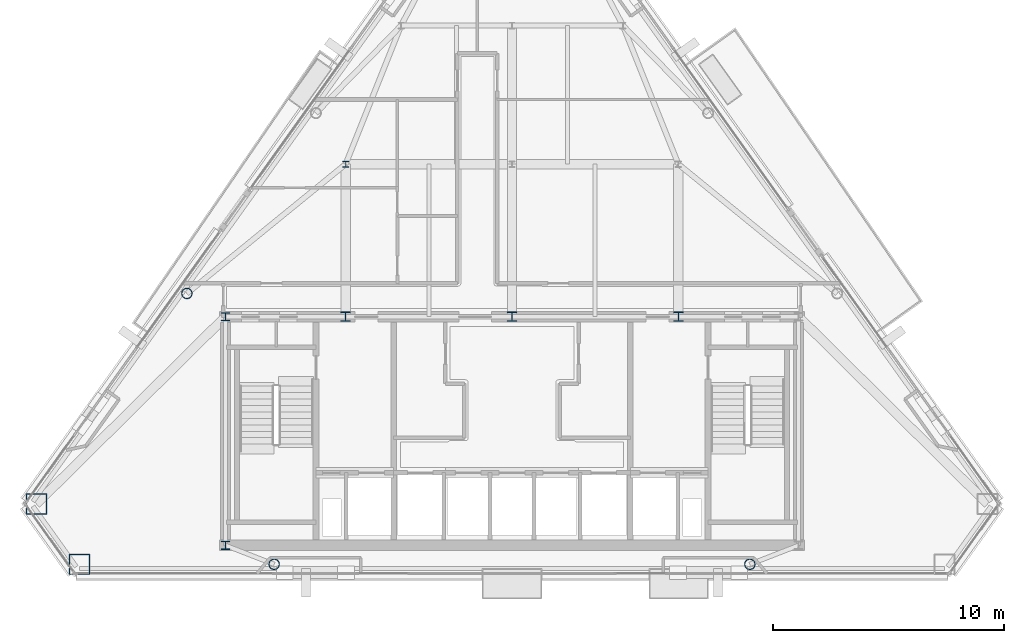
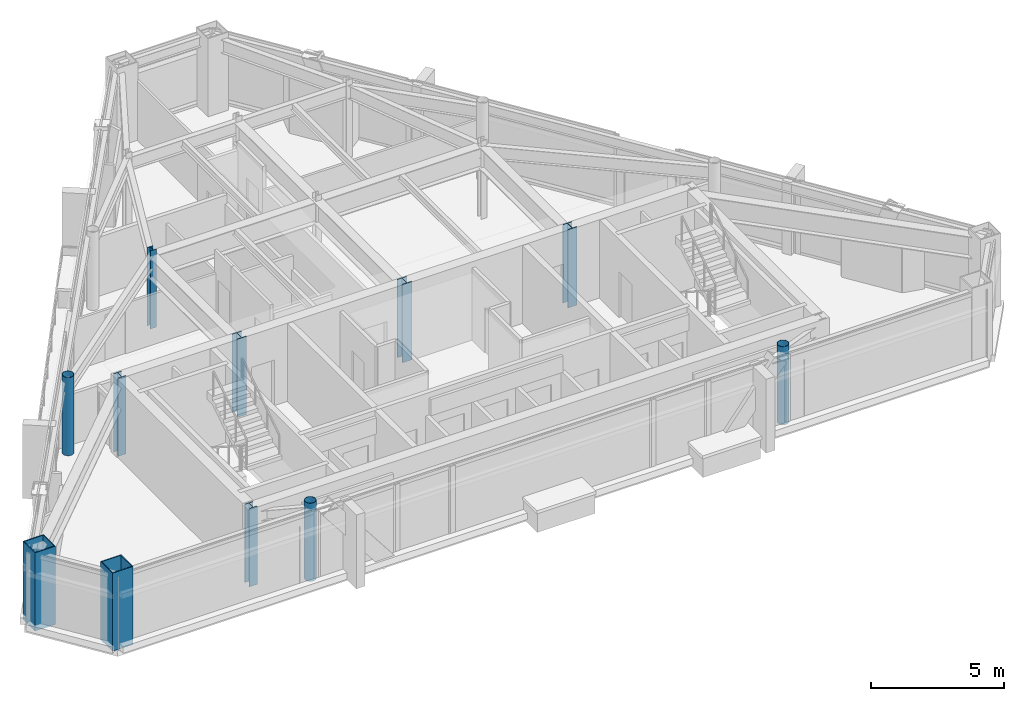
# One storey, part 1 of 12: 11 columns.
"""IFC4 building model written with IfcOpenShell, lengths in metres."""

from ifc_helpers import new_model, si_unit, direction, frame, origin, origin_2d, place, context, subcontext, project, spatial, hollow_rectangle, hollow_circle, i_section, extrude, material, material_profile, profile_set, type_object, element, save


model = new_model("IFC4")

# Units and contexts
model_context = context("Model", 3, precision=1e-05, world=origin(), true_north=direction((0.0, 1.0)))
body_context = subcontext(model_context, "Body", "Model", "MODEL_VIEW")
ifc_project = project(units=[si_unit("LENGTHUNIT", "METRE"), si_unit("AREAUNIT", "SQUARE_METRE"), si_unit("VOLUMEUNIT", "CUBIC_METRE"), si_unit("PLANEANGLEUNIT", "RADIAN"), si_unit("MASSUNIT", "GRAM", prefix="KILO")], contexts=[model_context])

# Site, building, storey
site_placement = place(None, origin())
site = spatial("IfcSite", under=ifc_project, at=site_placement, CompositionType="ELEMENT")
building_placement = place(site_placement, origin())
building = spatial("IfcBuilding", under=site, at=building_placement, Name="Talgorran Terracotta Tower", CompositionType="ELEMENT")
storey_placement = place(building_placement, frame((0.0, 0.0, 270.60009765625)))
storey = spatial("IfcBuildingStorey", under=building, at=storey_placement, Name="L71", CompositionType="ELEMENT", Elevation=270.60009765625)

# Columns
ifc_material_1 = material(Name="Steel S355 (300PLUS)", Category="steel")
ifc_material_profile_1 = material_profile(ifc_material_1, i_section(OverallWidth=0.256103515625, OverallDepth=0.260009765625, WebThickness=0.010498046875, FlangeThickness=0.017333984375, at=origin_2d()), Name="250UC89.5")
ifc_profile_set_1 = profile_set([ifc_material_profile_1], Name="Steel S355 (300PLUS)")
column_type_1 = type_object("IfcColumnType", Name="COL_250UC89", PredefinedType="COLUMN", material=ifc_profile_set_1)
column_placement = place(storey_placement, frame((-7.199951171875, 2.39990234375, 0.0), z_axis=(0.0, 0.0, 1.0), x_axis=(1.0, 0.0, 0.0)))
element("IfcColumn", 1, at=column_placement, inside=storey, type_object=column_type_1, Name="L71 Interior Gravity Column IC1", PredefinedType="COLUMN", context=body_context, shape_type="SweptSolid", body=[
    extrude(i_section(OverallWidth=0.256103515625, OverallDepth=0.260009765625, WebThickness=0.010498046875, FlangeThickness=0.017333984375, at=origin_2d()), origin(), (0.0, 0.0, 1.0), 3.599853515625),
])
ifc_material_profile_2 = material_profile(ifc_material_1, i_section(OverallWidth=0.35205078125, OverallDepth=0.35888671875, WebThickness=0.01806640625, FlangeThickness=0.02587890625, at=origin_2d()), Name="350WC197")
ifc_profile_set_2 = profile_set([ifc_material_profile_2], Name="Steel S355 (300PLUS)")
column_type_2 = type_object("IfcColumnType", Name="COL_350WC197", PredefinedType="COLUMN", material=ifc_profile_set_2)
for number, where, z_axis, x_axis, name in (
    (2, (-12.39990234375, -14.10009765625, 0.0), (0.0, 0.0, 1.0), (1.0, 0.0, 0.0), "L71 Core Boundary Column CC1"),
    (3, (-12.39990234375, -4.199951171875, 0.0), (0.0, 0.0, 1.0), (1.0, 0.0, 0.0), "L71 Core Boundary Column CC4"),
):
    element("IfcColumn", number, at=place(storey_placement, frame(where, z_axis=z_axis, x_axis=x_axis)), inside=storey, type_object=column_type_2, Name=name, PredefinedType="COLUMN", context=body_context, shape_type="SweptSolid", body=[
        extrude(i_section(OverallWidth=0.35205078125, OverallDepth=0.35888671875, WebThickness=0.01806640625, FlangeThickness=0.02587890625, at=origin_2d()), origin(), (0.0, 0.0, 1.0), 3.599853515625),
    ])
ifc_material_2 = material(Name="Steel Grade 350 (350L0)", Category="steel")
ifc_material_profile_3 = material_profile(ifc_material_2, hollow_rectangle(XDim=0.89990234375, YDim=0.89990234375, WallThickness=0.0400390625, at=origin_2d()), Name="CFT900X900X40")
ifc_profile_set_3 = profile_set([ifc_material_profile_3], Name="Steel Grade 350 (350L0)")
column_type_3 = type_object("IfcColumnType", Name="COL_CFT_900", PredefinedType="COLUMN", material=ifc_profile_set_3)
for number, where, z_axis, x_axis, name in (
    (4, (-20.5849609375, -12.303466796875, 0.0), (0.0, 0.0, 1.0), (1.0, 0.0, 0.0), "L71 Corner CFT Mega-Column MC1"),
    (5, (-18.71435546875, -14.9189453125, 0.0), (0.0, 0.0, 1.0), (1.0, 0.0, 0.0), "L71 Corner CFT Mega-Column MC2"),
):
    element("IfcColumn", number, at=place(storey_placement, frame(where, z_axis=z_axis, x_axis=x_axis)), inside=storey, type_object=column_type_3, Name=name, PredefinedType="COLUMN", context=body_context, shape_type="SweptSolid", body=[
        extrude(hollow_rectangle(XDim=0.89990234375, YDim=0.89990234375, WallThickness=0.0400390625, at=origin_2d()), origin(), (0.0, 0.0, 1.0), 3.599853515625),
    ])
ifc_material_3 = material(Name="Steel S350 (C350L0)", Category="steel")
ifc_material_profile_4 = material_profile(ifc_material_3, hollow_circle(Radius=0.228515625, WallThickness=0.01611328125, at=origin_2d()), Name="CHS457X16")
ifc_profile_set_4 = profile_set([ifc_material_profile_4], Name="Steel S350 (C350L0)")
column_type_4 = type_object("IfcColumnType", Name="COL_CHS_457", PredefinedType="COLUMN", material=ifc_profile_set_4)
for number, where, z_axis, x_axis, name in (
    (6, (-10.29296875, -14.9189453125, 0.0), (0.0, 0.0, 1.0), (1.0, 0.0, 0.0), "L71 Facet Perimeter Column FC1"),
    (7, (10.29296875, -14.9189453125, 0.0), (0.0, 0.0, 1.0), (1.0, 0.0, 0.0), "L71 Facet Perimeter Column FC2"),
    (8, (-14.071533203125, -3.1962890625, 0.0), (0.0, 0.0, 1.0), (1.0, 0.0, 0.0), "L71 Facet Perimeter Column FC6"),
):
    element("IfcColumn", number, at=place(storey_placement, frame(where, z_axis=z_axis, x_axis=x_axis)), inside=storey, type_object=column_type_4, Name=name, PredefinedType="COLUMN", context=body_context, shape_type="SweptSolid", body=[
        extrude(hollow_circle(Radius=0.228515625, WallThickness=0.01611328125, at=origin_2d()), origin(), (0.0, 0.0, 1.0), 3.599853515625),
    ])
ifc_material_profile_5 = material_profile(ifc_material_1, i_section(OverallWidth=0.405029296875, OverallDepth=0.4140625, WebThickness=0.02197265625, FlangeThickness=0.031982421875, at=origin_2d()), Name="400WC270")
ifc_profile_set_5 = profile_set([ifc_material_profile_5], Name="Steel S355 (300PLUS)")
column_type_5 = type_object("IfcColumnType", Name="COL_PIL_400WC270", PredefinedType="PILASTER", material=ifc_profile_set_5)
for number, where, z_axis, x_axis, name in (
    (9, (-7.199951171875, -4.199951171875, 0.0), (0.0, 0.0, 1.0), (1.0, 0.0, 0.0), "L71 Core Shear Pilaster CP1"),
    (10, (0.0, -4.199951171875, 0.0), (0.0, 0.0, 1.0), (1.0, 0.0, 0.0), "L71 Core Shear Pilaster CP2"),
    (11, (7.199951171875, -4.199951171875, 0.0), (0.0, 0.0, 1.0), (1.0, 0.0, 0.0), "L71 Core Shear Pilaster CP3"),
):
    element("IfcColumn", number, at=place(storey_placement, frame(where, z_axis=z_axis, x_axis=x_axis)), inside=storey, type_object=column_type_5, Name=name, PredefinedType="PILASTER", context=body_context, shape_type="SweptSolid", body=[
        extrude(i_section(OverallWidth=0.405029296875, OverallDepth=0.4140625, WebThickness=0.02197265625, FlangeThickness=0.031982421875, at=origin_2d()), origin(), (0.0, 0.0, 1.0), 3.599853515625),
    ])

save(model, "model.ifc")
